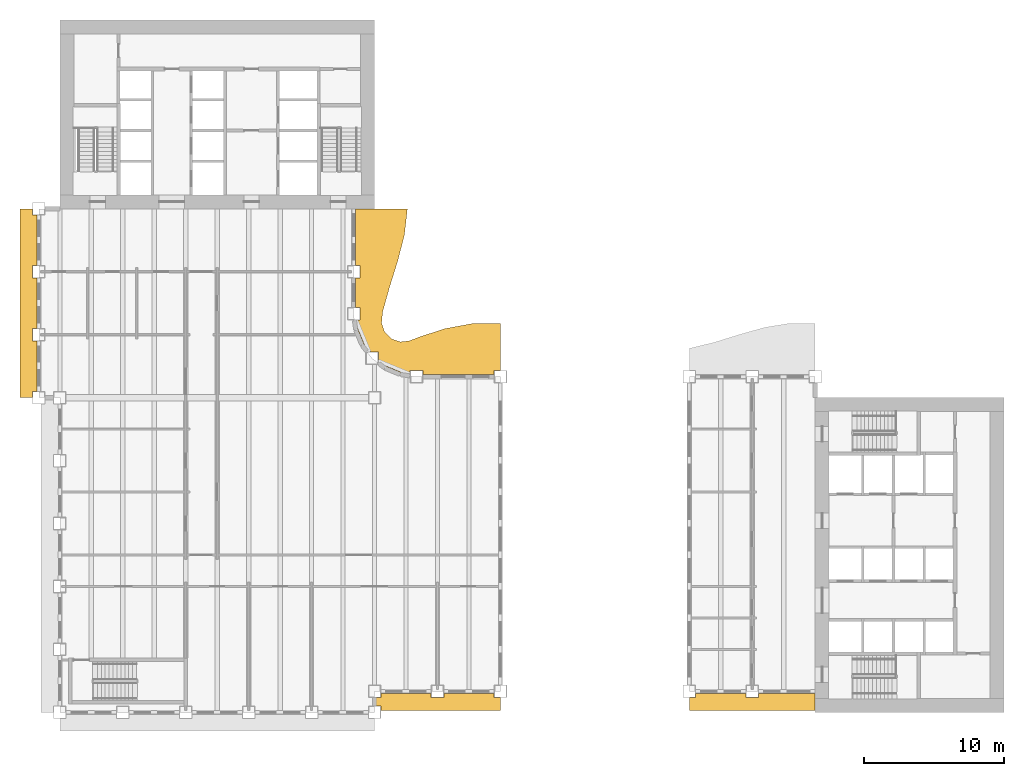
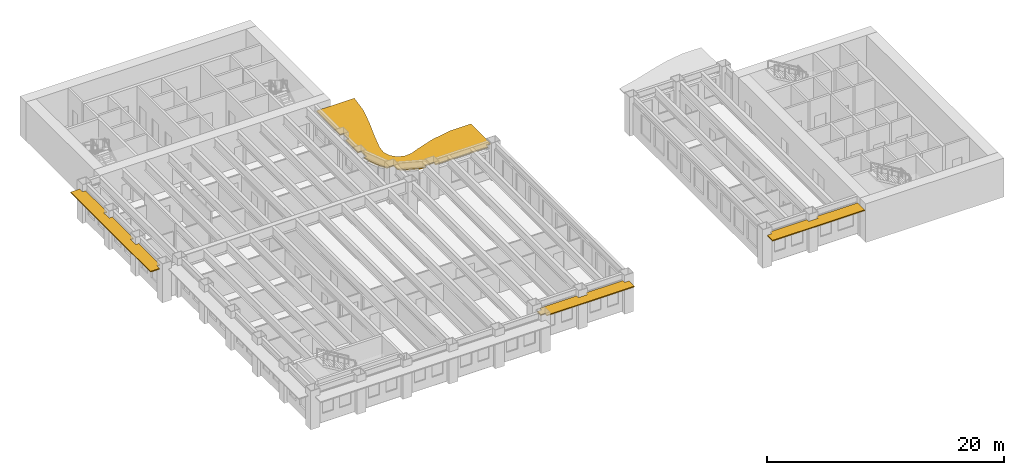
# One storey, part 11 of 13: 4 shading devices.
"""IFC4 building model written with IfcOpenShell, lengths in metres."""

from ifc_helpers import new_model, si_unit, direction, frame, origin, place, context, subcontext, project, spatial, polyline, outline, extrude, material, layer, layer_set, type_object, element, save


model = new_model("IFC4")

# Units and contexts
model_context = context("Model", 3, precision=1e-05, world=origin(), true_north=direction((0.0, 1.0)))
body_context = subcontext(model_context, "Body", "Model", "MODEL_VIEW")
ifc_project = project(units=[si_unit("LENGTHUNIT", "METRE"), si_unit("AREAUNIT", "SQUARE_METRE"), si_unit("VOLUMEUNIT", "CUBIC_METRE"), si_unit("PLANEANGLEUNIT", "RADIAN"), si_unit("MASSUNIT", "GRAM", prefix="KILO")], contexts=[model_context])

# Site, building, storey
site_placement = place(None, origin())
site = spatial("IfcSite", under=ifc_project, at=site_placement, CompositionType="ELEMENT")
building_placement = place(site_placement, origin())
building = spatial("IfcBuilding", under=site, at=building_placement, Name="Sennacour Bend Tower", CompositionType="ELEMENT")
storey_placement = place(building_placement, frame((0.0, 0.0, 139.0)))
storey = spatial("IfcBuildingStorey", under=building, at=storey_placement, Name="L31", CompositionType="ELEMENT", Elevation=139.0)

# Shading devices
ifc_material = material(Name="Bronze anodised aluminium", Category="aluminium")
ifc_layer_1 = layer(ifc_material, 0.10009765625, Name="Bronze anodised aluminium", Category="aluminium")
ifc_layer_set_1 = layer_set([ifc_layer_1], Name="Bronze anodised aluminium")
shading_device_type_1 = type_object("IfcShadingDeviceType", Name="SUNSHADE BAND STRAIGHT", PredefinedType="USERDEFINED", material=ifc_layer_set_1)
shading_device_1_placement = place(storey_placement, frame((0.0, 0.0, 3.049072265625)))
element("IfcShadingDevice", 1, at=shading_device_1_placement, inside=storey, type_object=shading_device_type_1, Name="Sunshade band L31 A outer face", ObjectType="SUNSHADE", PredefinedType="USERDEFINED", context=body_context, shape_type="SweptSolid", body=[
    extrude(outline(polyline([(49.050048828125, 1.35009765625), (49.050048828125, 1.050048828125), (49.949951171875, 1.050048828125), (49.949951171875, 1.35009765625), (54.0, 1.35009765625), (54.0, 0.14990234375), (45.0, 0.14990234375), (45.0, 1.050048828125), (45.449951171875, 1.050048828125), (45.449951171875, 1.35009765625), (49.050048828125, 1.35009765625)])), origin(), (0.0, 0.0, 1.0), 0.099853515625),
])
shading_device_2_placement = place(storey_placement, frame((0.0, 0.0, 3.049072265625)))
element("IfcShadingDevice", 2, at=shading_device_2_placement, inside=storey, type_object=shading_device_type_1, Name="Sunshade band L31 B outer face", ObjectType="SUNSHADE", PredefinedType="USERDEFINED", context=body_context, shape_type="SweptSolid", body=[
    extrude(outline(polyline([(-1.64990234375, 31.949951171875), (-1.949951171875, 31.949951171875), (-1.949951171875, 31.050048828125), (-1.64990234375, 31.050048828125), (-1.64990234375, 27.449951171875), (-1.949951171875, 27.449951171875), (-1.949951171875, 26.550048828125), (-1.64990234375, 26.550048828125), (-1.64990234375, 22.949951171875), (-1.949951171875, 22.949951171875), (-1.949951171875, 22.5), (-2.85009765625, 22.5), (-2.85009765625, 36.0), (-1.949951171875, 36.0), (-1.949951171875, 35.550048828125), (-1.64990234375, 35.550048828125), (-1.64990234375, 31.949951171875)])), origin(), (0.0, 0.0, 1.0), 0.099853515625),
])
shading_device_3_placement = place(storey_placement, frame((0.0, 0.0, 3.049072265625)))
element("IfcShadingDevice", 3, at=shading_device_3_placement, inside=storey, type_object=shading_device_type_1, Name="Sunshade band L31 A outer face", ObjectType="SUNSHADE", PredefinedType="USERDEFINED", context=body_context, shape_type="SweptSolid", body=[
    extrude(outline(polyline([(26.550048828125, 1.35009765625), (26.550048828125, 1.050048828125), (27.449951171875, 1.050048828125), (27.449951171875, 1.35009765625), (31.050048828125, 1.35009765625), (31.050048828125, 1.050048828125), (31.5, 1.050048828125), (31.5, 0.14990234375), (22.949951171875, 0.14990234375), (22.949951171875, 0.449951171875), (22.5, 0.449951171875), (22.5, 1.050048828125), (22.949951171875, 1.050048828125), (22.949951171875, 1.35009765625), (26.550048828125, 1.35009765625)])), origin(), (0.0, 0.0, 1.0), 0.099853515625),
])
ifc_layer_2 = layer(ifc_material, 0.1201171875, Name="Bronze anodised aluminium", Category="aluminium")
ifc_layer_set_2 = layer_set([ifc_layer_2], Name="Bronze anodised aluminium")
shading_device_type_2 = type_object("IfcShadingDeviceType", Name="SUNSHADE BAND WAVE", PredefinedType="USERDEFINED", material=ifc_layer_set_2)
shading_device_4_placement = place(storey_placement, frame((0.0, 0.0, 3.029052734375)))
element("IfcShadingDevice", 4, at=shading_device_4_placement, inside=storey, type_object=shading_device_type_2, Name="Sunshade band L31 concave faces", ObjectType="SUNSHADE", PredefinedType="USERDEFINED", context=body_context, shape_type="SweptSolid", body=[
    extrude(outline(polyline([(31.050048828125, 24.14990234375), (25.949951171875, 24.14990234375), (25.949951171875, 24.449951171875), (25.050048828125, 24.449951171875), (25.050048828125, 24.21044921875), (24.37451171875, 24.299560546875), (23.32568359375, 24.73388671875), (22.76806640625, 25.16162109375), (22.76806640625, 25.76806640625), (22.16162109375, 25.76806640625), (21.73388671875, 26.32568359375), (21.299560546875, 27.37451171875), (21.21044921875, 28.050048828125), (21.449951171875, 28.050048828125), (21.449951171875, 28.949951171875), (21.14990234375, 28.949951171875), (21.14990234375, 31.050048828125), (21.449951171875, 31.050048828125), (21.449951171875, 31.949951171875), (21.14990234375, 31.949951171875), (21.14990234375, 36.0), (24.84716796875, 36.0), (24.6328125, 34.125), (24.1494140625, 32.25), (23.563232421875, 30.375), (23.075439453125, 28.635986328125), (23.002685546875, 27.830810546875), (23.220458984375, 27.183837890625), (23.703369140625, 26.703369140625), (24.338134765625, 26.48779296875), (24.9794921875, 26.557861328125), (25.685546875, 26.8310546875), (27.5, 27.427490234375), (29.5, 27.799072265625), (31.5, 27.801025390625), (31.5, 24.449951171875), (31.050048828125, 24.449951171875), (31.050048828125, 24.14990234375)])), origin(), (0.0, 0.0, 1.0), 0.119873046875),
])

save(model, "model.ifc")
